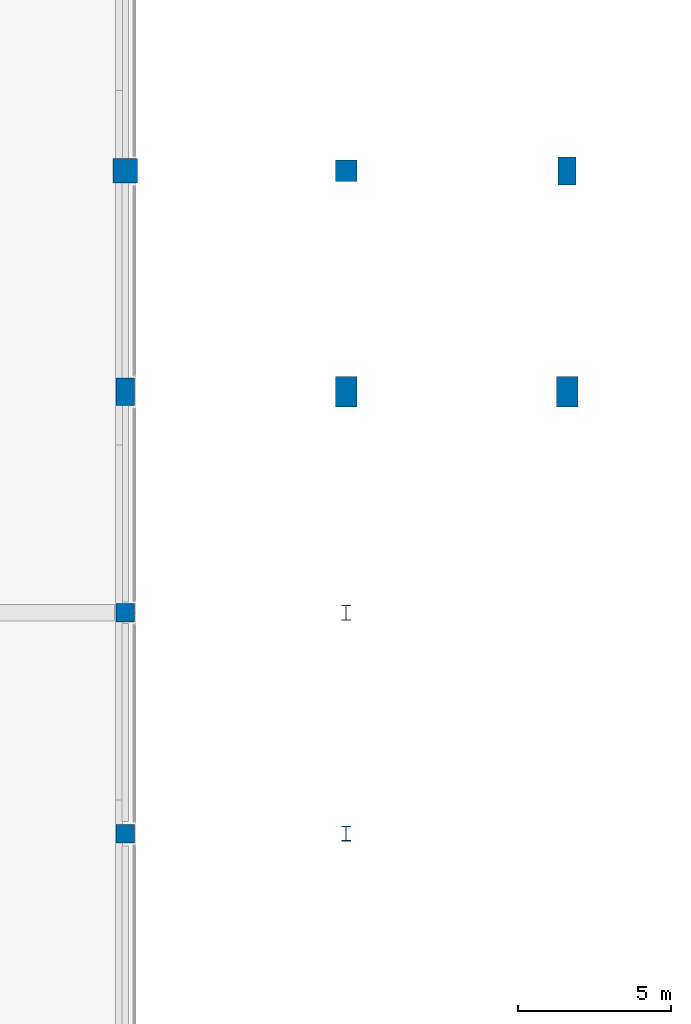
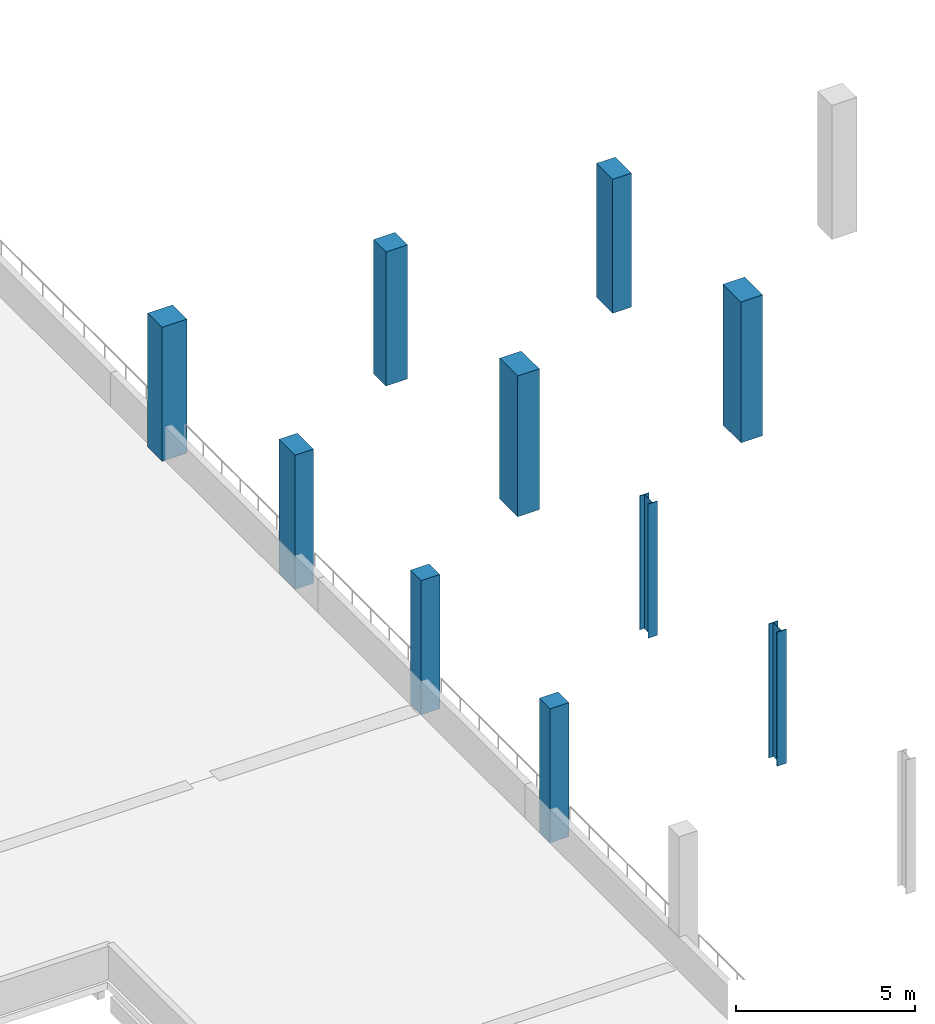
# One storey, part 11 of 82: 10 columns.
"""IFC4 building model written with IfcOpenShell, lengths in metres."""

from ifc_helpers import new_model, si_unit, direction, frame, origin, origin_2d, place, context, subcontext, project, spatial, rectangle, i_section, extrude, material, material_profile, profile_set, type_object, element, save


model = new_model("IFC4")

# Units and contexts
model_context = context("Model", 3, precision=1e-05, world=origin(), true_north=direction((0.0, 1.0)))
body_context = subcontext(model_context, "Body", "Model", "MODEL_VIEW")
ifc_project = project(units=[si_unit("LENGTHUNIT", "METRE"), si_unit("AREAUNIT", "SQUARE_METRE"), si_unit("VOLUMEUNIT", "CUBIC_METRE"), si_unit("PLANEANGLEUNIT", "RADIAN"), si_unit("MASSUNIT", "GRAM", prefix="KILO")], contexts=[model_context])

# Site, building, storey
site_placement = place(None, origin())
site = spatial("IfcSite", under=ifc_project, at=site_placement, CompositionType="ELEMENT")
building_placement = place(site_placement, origin())
building = spatial("IfcBuilding", under=site, at=building_placement, Name="Sardonyx Promenade Sports Hall", CompositionType="ELEMENT")
storey_placement = place(building_placement, frame((0.0, 0.0, 11.199951171875)))
storey = spatial("IfcBuildingStorey", under=building, at=storey_placement, Name="L02", CompositionType="ELEMENT", Elevation=11.199951171875)

# Columns
ifc_material_1 = material(Name="Concrete C40/50", Category="concrete")
ifc_material_profile_1 = material_profile(ifc_material_1, rectangle(XDim=0.60009765625, YDim=0.60009765625, at=origin_2d()))
ifc_profile_set_1 = profile_set([ifc_material_profile_1], Name="Concrete C40/50")
column_type_1 = type_object("IfcColumnType", Name="Col_Ext_RC600", PredefinedType="COLUMN", material=ifc_profile_set_1)
for number, where, z_axis, x_axis, name in (
    (1, (108.0, 64.800048828125, 0.0), (0.0, 0.0, 1.0), (1.0, 0.0, 0.0), "Column CE11 L02 (108.0,64.8)"),
    (2, (108.0, 72.0, 0.0), (0.0, 0.0, 1.0), (1.0, 0.0, 0.0), "Column CE11 L02 (108.0,72.0)"),
):
    element("IfcColumn", number, at=place(storey_placement, frame(where, z_axis=z_axis, x_axis=x_axis)), inside=storey, type_object=column_type_1, Name=name, PredefinedType="COLUMN", context=body_context, shape_type="SweptSolid", body=[
        extrude(rectangle(XDim=0.60009765625, YDim=0.60009765625, at=origin_2d()), origin(), (0.0, 0.0, 1.0), 4.570068359375),
    ])
ifc_material_2 = material(Name="Concrete C40/50", Category="concrete")
ifc_material_profile_2 = material_profile(ifc_material_2, rectangle(XDim=0.60009765625, YDim=0.89990234375, at=origin_2d()))
ifc_profile_set_2 = profile_set([ifc_material_profile_2], Name="Concrete C40/50")
column_type_2 = type_object("IfcColumnType", Name="Col_Ext_RC600x900", PredefinedType="COLUMN", material=ifc_profile_set_2)
for number, where, z_axis, x_axis, name in (
    (3, (108.0, 79.199951171875, 0.0), (0.0, 0.0, 1.0), (1.0, 0.0, 0.0), "Column CE12 L02 (108.0,79.2)"),
    (4, (122.39990234375, 86.39990234375, 0.0), (0.0, 0.0, 1.0), (1.0, 0.0, 0.0), "Column CE12 L02 (122.4,86.4)"),
):
    element("IfcColumn", number, at=place(storey_placement, frame(where, z_axis=z_axis, x_axis=x_axis)), inside=storey, type_object=column_type_2, Name=name, PredefinedType="COLUMN", context=body_context, shape_type="SweptSolid", body=[
        extrude(rectangle(XDim=0.60009765625, YDim=0.89990234375, at=origin_2d()), origin(), (0.0, 0.0, 1.0), 4.570068359375),
    ])
ifc_material_3 = material(Name="Concrete C40/50", Category="concrete")
ifc_material_profile_3 = material_profile(ifc_material_3, rectangle(XDim=0.699951171875, YDim=0.699951171875, at=origin_2d()))
ifc_profile_set_3 = profile_set([ifc_material_profile_3], Name="Concrete C40/50")
column_type_3 = type_object("IfcColumnType", Name="Col_Ext_RC700", PredefinedType="COLUMN", material=ifc_profile_set_3)
column_1_placement = place(storey_placement, frame((115.199951171875, 86.39990234375, 0.0), z_axis=(0.0, 0.0, 1.0), x_axis=(1.0, 0.0, 0.0)))
element("IfcColumn", 5, at=column_1_placement, inside=storey, type_object=column_type_3, Name="Column CE05 L02 (115.2,86.4)", PredefinedType="COLUMN", context=body_context, shape_type="SweptSolid", body=[
    extrude(rectangle(XDim=0.699951171875, YDim=0.699951171875, at=origin_2d()), origin(), (0.0, 0.0, 1.0), 4.570068359375),
])
ifc_material_4 = material(Name="Concrete C50/60", Category="concrete")
ifc_material_profile_4 = material_profile(ifc_material_4, rectangle(XDim=0.699951171875, YDim=1.0, at=origin_2d()))
ifc_profile_set_4 = profile_set([ifc_material_profile_4], Name="Concrete C50/60")
column_type_4 = type_object("IfcColumnType", Name="Col_Ext_RC700x1000", PredefinedType="COLUMN", material=ifc_profile_set_4)
for number, where, z_axis, x_axis, name in (
    (6, (115.199951171875, 79.199951171875, 0.0), (0.0, 0.0, 1.0), (1.0, 0.0, 0.0), "Column CE02 L02 (115.2,79.2)"),
    (7, (122.39990234375, 79.199951171875, 0.0), (0.0, 0.0, 1.0), (1.0, 0.0, 0.0), "Column CE02 L02 (122.4,79.2)"),
):
    element("IfcColumn", number, at=place(storey_placement, frame(where, z_axis=z_axis, x_axis=x_axis)), inside=storey, type_object=column_type_4, Name=name, PredefinedType="COLUMN", context=body_context, shape_type="SweptSolid", body=[
        extrude(rectangle(XDim=0.699951171875, YDim=1.0, at=origin_2d()), origin(), (0.0, 0.0, 1.0), 4.800048828125),
    ])
ifc_material_5 = material(Name="Concrete C50/60", Category="concrete")
ifc_material_profile_5 = material_profile(ifc_material_5, rectangle(XDim=0.800048828125, YDim=0.800048828125, at=origin_2d()))
ifc_profile_set_5 = profile_set([ifc_material_profile_5], Name="Concrete C50/60")
column_type_5 = type_object("IfcColumnType", Name="Col_Ext_RC800", PredefinedType="COLUMN", material=ifc_profile_set_5)
column_2_placement = place(storey_placement, frame((108.0, 86.39990234375, 0.0), z_axis=(0.0, 0.0, 1.0), x_axis=(1.0, 0.0, 0.0)))
element("IfcColumn", 8, at=column_2_placement, inside=storey, type_object=column_type_5, Name="Column CE13 L02 (108.0,86.4)", PredefinedType="COLUMN", context=body_context, shape_type="SweptSolid", body=[
    extrude(rectangle(XDim=0.800048828125, YDim=0.800048828125, at=origin_2d()), origin(), (0.0, 0.0, 1.0), 4.570068359375),
])
ifc_material_6 = material(Name="Steel S355JR", Category="steel")
ifc_material_profile_6 = material_profile(ifc_material_6, i_section(OverallWidth=0.300048828125, OverallDepth=0.489990234375, WebThickness=0.011962890625, FlangeThickness=0.02294921875, at=origin_2d()))
ifc_profile_set_6 = profile_set([ifc_material_profile_6], Name="Steel S355JR")
column_type_6 = type_object("IfcColumnType", Name="Col_Int_HEA500", PredefinedType="COLUMN", material=ifc_profile_set_6)
for number, where, z_axis, x_axis, name in (
    (9, (115.199951171875, 64.800048828125, 0.0), (0.0, 0.0, 1.0), (1.0, 0.0, 0.0), "Column CI08 L02 (115.2,64.8)"),
    (10, (115.199951171875, 72.0, 0.0), (0.0, 0.0, 1.0), (1.0, 0.0, 0.0), "Column CI08 L02 (115.2,72.0)"),
):
    element("IfcColumn", number, at=place(storey_placement, frame(where, z_axis=z_axis, x_axis=x_axis)), inside=storey, type_object=column_type_6, Name=name, PredefinedType="COLUMN", context=body_context, shape_type="SweptSolid", body=[
        extrude(i_section(OverallWidth=0.300048828125, OverallDepth=0.489990234375, WebThickness=0.011962890625, FlangeThickness=0.02294921875, at=origin_2d()), origin(), (0.0, 0.0, 1.0), 4.570068359375),
    ])

save(model, "model.ifc")
